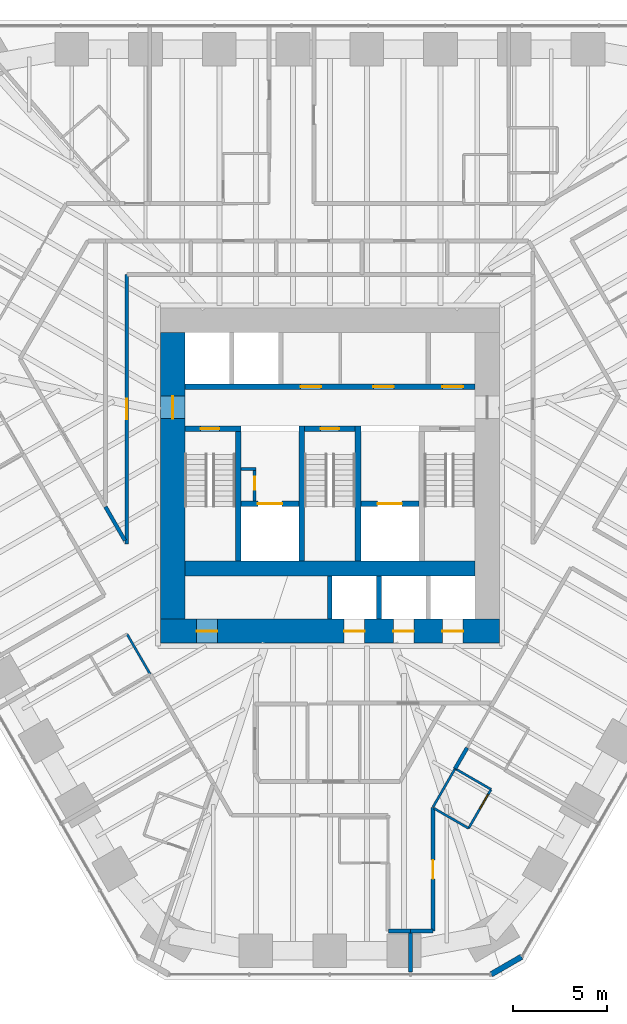
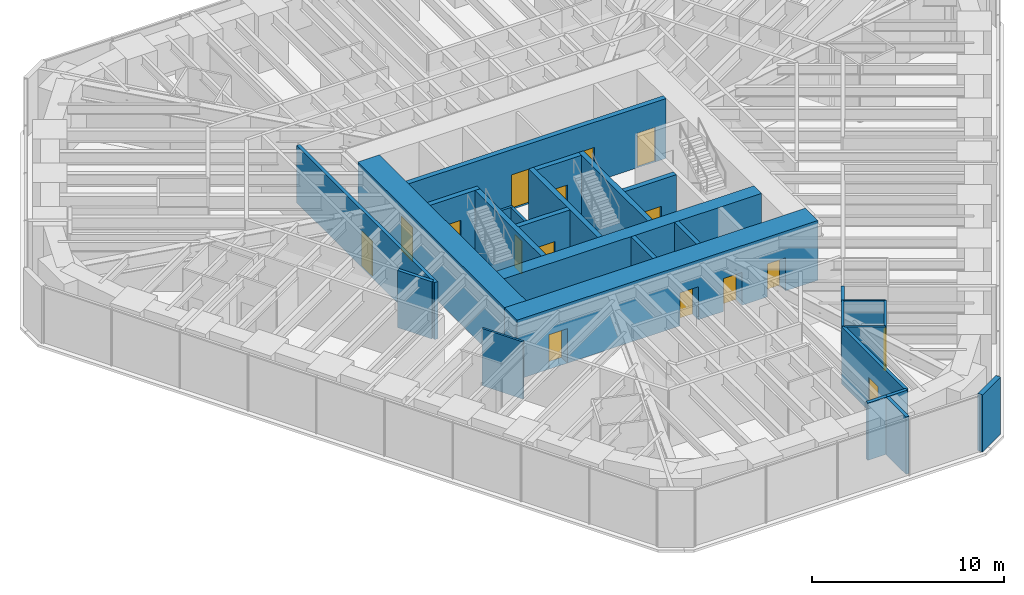
# One storey, part 12 of 17: 28 walls, 16 doors, 16 openings.
"""IFC4 building model written with IfcOpenShell, lengths in metres."""

from ifc_helpers import new_model, si_unit, direction, frame, frame_2d, origin, place, context, subcontext, project, spatial, rectangle, extrude, material, layer, layer_set, type_object, element, fill, save


model = new_model("IFC4")

# Units and contexts
model_context = context("Model", 3, precision=1e-05, world=origin(), true_north=direction((0.0, 1.0)))
body_context = subcontext(model_context, "Body", "Model", "MODEL_VIEW")
ifc_project = project(units=[si_unit("LENGTHUNIT", "METRE"), si_unit("AREAUNIT", "SQUARE_METRE"), si_unit("VOLUMEUNIT", "CUBIC_METRE"), si_unit("PLANEANGLEUNIT", "RADIAN"), si_unit("MASSUNIT", "GRAM", prefix="KILO")], contexts=[model_context])

# Site, building, storey
site_placement = place(None, origin())
site = spatial("IfcSite", under=ifc_project, at=site_placement, CompositionType="ELEMENT")
building_placement = place(site_placement, origin())
building = spatial("IfcBuilding", under=site, at=building_placement, Name="Sandreach Pilgrim Tower", CompositionType="ELEMENT")
storey_placement = place(building_placement, frame((0.0, 0.0, 146.199951171875)))
storey = spatial("IfcBuildingStorey", under=building, at=storey_placement, Name="L36", CompositionType="ELEMENT", Elevation=146.199951171875)

# Walls
ifc_material_1 = material(Name="Moisture-resistant gypsum board on steel studs", Category="steel")
ifc_layer_1 = layer(ifc_material_1, 0.1201171875)
ifc_layer_set_1 = layer_set([ifc_layer_1], Name="Bathroom partition 120")
wall_type_1 = type_object("IfcWallType", Name="Bathroom partition 120", PredefinedType="PARTITIONING", material=ifc_layer_set_1)
wall_1_placement = place(storey_placement, frame((-10.840087890625, -10.010009765625, 0.0), z_axis=(0.0, 0.0, 1.0), x_axis=(0.500089055364, -0.86597398154, 0.0)))
element("IfcWall", 1, at=wall_1_placement, inside=storey, type_object=wall_type_1, Name="Bathroom partition L36-043", PredefinedType="PARTITIONING", context=body_context, shape_type="SweptSolid", body=[
    extrude(rectangle(XDim=2.45947265625, YDim=0.1201171875, at=frame_2d((1.229736328125, 0.0))), origin(), (0.0, 0.0, 1.0), 3.64013671875),
])
wall_2_placement = place(storey_placement, frame((5.510009765625, -19.25, 0.0), z_axis=(0.0, 0.0, 1.0), x_axis=(0.498837591974, 0.866695481028, 0.0)))
element("IfcWall", 2, at=wall_2_placement, inside=storey, type_object=wall_type_1, Name="Bathroom partition L36-092", PredefinedType="PARTITIONING", context=body_context, shape_type="SweptSolid", body=[
    extrude(rectangle(XDim=2.365478515625, YDim=0.1201171875, at=frame_2d((1.1826171875, 0.0))), origin(), (0.0, 0.0, 1.0), 3.64013671875),
])
wall_3_placement = place(storey_placement, frame((5.566162109375, -19.322509765625, 0.0), z_axis=(0.0, 0.0, 1.0), x_axis=(0.865436746432, -0.501018201192, 0.0)))
element("IfcWall", 3, at=wall_3_placement, inside=storey, type_object=wall_type_1, Name="Bathroom partition L36-093", PredefinedType="PARTITIONING", context=body_context, shape_type="SweptSolid", body=[
    extrude(rectangle(XDim=2.13037109375, YDim=0.1201171875, at=frame_2d((1.065185546875, 0.0))), origin(), (0.0, 0.0, 1.0), 3.64013671875),
])

# Wall, opening, door
wall_4_placement = place(storey_placement, frame((7.409912109375, -20.389892578125, 0.0), z_axis=(0.0, 0.0, 1.0), x_axis=(0.499737123639, 0.866177122335, 0.0)))
wall_4 = element("IfcWall", 4, at=wall_4_placement, inside=storey, type_object=wall_type_1, Name="Bathroom partition L36-103", PredefinedType="PARTITIONING", context=body_context, shape_type="SweptSolid", body=[
    extrude(rectangle(XDim=2.401123046875, YDim=0.1201171875, at=frame_2d((1.20068359375, 0.0))), origin(), (0.0, 0.0, 1.0), 3.64013671875),
])
opening_1_placement = place(wall_4_placement, frame((1.201416015625, 0.0, 0.0)))
opening_1 = element("IfcOpeningElement", 5, at=opening_1_placement, cuts=wall_4, Name="Opening D09-09B", PredefinedType="OPENING", context=body_context, shape_type="SweptSolid", body=[
    extrude(rectangle(XDim=0.89990234375, YDim=2.030029296875, at=frame_2d((0.449951171875, 1.01513671875))), frame((0.0, 0.06005859375, 0.0), z_axis=(0.0, -1.0, 0.0), x_axis=(1.0, 0.0, 0.0)), (0.0, 0.0, 1.0), 0.1201171875),
])
ifc_material_2 = material(Name="Timber door, steel frame", Category="steel")
door_type_1 = type_object("IfcDoorType", Name="Bathroom door", OperationType="SINGLE_SWING_LEFT", PredefinedType="DOOR", material=ifc_material_2)
door_1_placement = place(opening_1_placement, origin())
door_1 = element("IfcDoor", 6, at=door_1_placement, inside=storey, type_object=door_type_1, Name="Door 3609B", OperationType="SINGLE_SWING_RIGHT", OverallHeight=2.030029296875, OverallWidth=0.89990234375, PredefinedType="DOOR", context=body_context, shape_type="SweptSolid", body=[
    extrude(rectangle(XDim=0.89990234375, YDim=2.030029296875, at=frame_2d((0.449951171875, 1.01513671875))), frame((0.0, 0.02490234375, 0.0), z_axis=(0.0, -1.0, 0.0), x_axis=(1.0, 0.0, 0.0)), (0.0, 0.0, 1.0), 0.050048828125),
])
fill(opening_1, door_1)

# Walls
wall_5_placement = place(storey_placement, frame((8.610107421875, -18.31005859375, 0.0), z_axis=(0.0, 0.0, 1.0), x_axis=(-0.865732595383, 0.500506816428, 0.0)))
element("IfcWall", 7, at=wall_5_placement, inside=storey, type_object=wall_type_1, Name="Bathroom partition L36-106", PredefinedType="PARTITIONING", context=body_context, shape_type="SweptSolid", body=[
    extrude(rectangle(XDim=2.218017578125, YDim=0.1201171875, at=frame_2d((1.10888671875, 0.0))), origin(), (0.0, 0.0, 1.0), 3.64013671875),
])
ifc_material_3 = material(Name="Concrete 10000 psi", Category="concrete")
ifc_layer_2 = layer(ifc_material_3, 0.300048828125)
ifc_layer_set_2 = layer_set([ifc_layer_2], Name="Core inner wall 300")
wall_type_2 = type_object("IfcWallType", Name="Core inner wall 300", PredefinedType="SHEAR", material=ifc_layer_set_2)
for number, where, z_axis, x_axis, name in (
    (8, (-4.89990234375, -6.10009765625, 0.0), (0.0, 0.0, 1.0), (0.0, 1.0, 0.0), "Core wall I0 L36"),
    (9, (-1.5, -6.10009765625, 0.0), (0.0, 0.0, 1.0), (0.0, 1.0, 0.0), "Core wall I1 L36"),
    (10, (1.5, -6.10009765625, 0.0), (0.0, 0.0, 1.0), (0.0, 1.0, 0.0), "Core wall I2 L36"),
):
    element("IfcWall", number, at=place(storey_placement, frame(where, z_axis=z_axis, x_axis=x_axis)), inside=storey, type_object=wall_type_2, Name=name, PredefinedType="SHEAR", context=body_context, shape_type="SweptSolid", body=[
        extrude(rectangle(XDim=7.2001953125, YDim=0.300048828125, at=frame_2d((3.60009765625, 0.0))), origin(), (0.0, 0.0, 1.0), 3.800048828125),
    ])

# Wall, opening, door
wall_6_placement = place(storey_placement, frame((-7.75, 0.949951171875, 0.0), z_axis=(0.0, 0.0, 1.0), x_axis=(1.0, 0.0, 0.0)))
wall_6 = element("IfcWall", 11, at=wall_6_placement, inside=storey, type_object=wall_type_2, Name="Core wall SN1 L36", PredefinedType="SHEAR", context=body_context, shape_type="SweptSolid", body=[
    extrude(rectangle(XDim=3.0, YDim=0.300048828125, at=frame_2d((1.5, 0.0))), origin(), (0.0, 0.0, 1.0), 3.800048828125),
])
opening_2_placement = place(wall_6_placement, frame((0.85009765625, 0.0, 0.0)))
opening_2 = element("IfcOpeningElement", 12, at=opening_2_placement, cuts=wall_6, Name="Opening D10S-ST1", PredefinedType="OPENING", context=body_context, shape_type="SweptSolid", body=[
    extrude(rectangle(XDim=1.0, YDim=2.199951171875, at=frame_2d((0.5, 1.10009765625))), frame((0.0, 0.14990234375, 0.0), z_axis=(0.0, -1.0, 0.0), x_axis=(1.0, 0.0, 0.0)), (0.0, 0.0, 1.0), 0.300048828125),
])
ifc_material_4 = material(Name="Steel door and frame", Category="steel")
door_type_2 = type_object("IfcDoorType", Name="Stair door", OperationType="SINGLE_SWING_LEFT", PredefinedType="DOOR", material=ifc_material_4)
door_2_placement = place(opening_2_placement, origin())
door_2 = element("IfcDoor", 13, at=door_2_placement, inside=storey, type_object=door_type_2, Name="Stair door ST1 L36", OperationType="SINGLE_SWING_LEFT", OverallHeight=2.199951171875, OverallWidth=1.0, PredefinedType="DOOR", context=body_context, shape_type="SweptSolid", body=[
    extrude(rectangle(XDim=1.0, YDim=2.199951171875, at=frame_2d((0.5, 1.10009765625))), frame((0.0, 0.02490234375, 0.0), z_axis=(0.0, -1.0, 0.0), x_axis=(1.0, 0.0, 0.0)), (0.0, 0.0, 1.0), 0.050048828125),
])
fill(opening_2, door_2)

wall_7_placement = place(storey_placement, frame((-1.35009765625, 0.949951171875, 0.0), z_axis=(0.0, 0.0, 1.0), x_axis=(1.0, 0.0, 0.0)))
wall_7 = element("IfcWall", 14, at=wall_7_placement, inside=storey, type_object=wall_type_2, Name="Core wall SN3 L36", PredefinedType="SHEAR", context=body_context, shape_type="SweptSolid", body=[
    extrude(rectangle(XDim=2.7001953125, YDim=0.300048828125, at=frame_2d((1.35009765625, 0.0))), origin(), (0.0, 0.0, 1.0), 3.800048828125),
])
opening_3_placement = place(wall_7_placement, frame((0.85009765625, 0.0, 0.0)))
opening_3 = element("IfcOpeningElement", 15, at=opening_3_placement, cuts=wall_7, Name="Opening D10S-ST3", PredefinedType="OPENING", context=body_context, shape_type="SweptSolid", body=[
    extrude(rectangle(XDim=1.0, YDim=2.199951171875, at=frame_2d((0.5, 1.10009765625))), frame((0.0, 0.14990234375, 0.0), z_axis=(0.0, -1.0, 0.0), x_axis=(1.0, 0.0, 0.0)), (0.0, 0.0, 1.0), 0.300048828125),
])
door_3_placement = place(opening_3_placement, origin())
door_3 = element("IfcDoor", 16, at=door_3_placement, inside=storey, type_object=door_type_2, Name="Stair door ST3 L36", OperationType="SINGLE_SWING_LEFT", OverallHeight=2.199951171875, OverallWidth=1.0, PredefinedType="DOOR", context=body_context, shape_type="SweptSolid", body=[
    extrude(rectangle(XDim=1.0, YDim=2.199951171875, at=frame_2d((0.5, 1.10009765625))), frame((0.0, 0.02490234375, 0.0), z_axis=(0.0, -1.0, 0.0), x_axis=(1.0, 0.0, 0.0)), (0.0, 0.0, 1.0), 0.050048828125),
])
fill(opening_3, door_3)

wall_8_placement = place(storey_placement, frame((-4.75, -3.050048828125, 0.0), z_axis=(0.0, 0.0, 1.0), x_axis=(1.0, 0.0, 0.0)))
wall_8 = element("IfcWall", 17, at=wall_8_placement, inside=storey, type_object=wall_type_2, Name="Core wall FL1 L36", PredefinedType="SHEAR", context=body_context, shape_type="SweptSolid", body=[
    extrude(rectangle(XDim=3.10009765625, YDim=0.300048828125, at=frame_2d((1.550048828125, 0.0))), origin(), (0.0, 0.0, 1.0), 3.800048828125),
])
opening_4_placement = place(wall_8_placement, frame((0.89990234375, 0.0, 0.0)))
opening_4 = element("IfcOpeningElement", 18, at=opening_4_placement, cuts=wall_8, Name="Opening LD13", PredefinedType="OPENING", context=body_context, shape_type="SweptSolid", body=[
    extrude(rectangle(XDim=1.300048828125, YDim=2.10009765625, at=frame_2d((0.64990234375, 1.050048828125))), frame((0.0, 0.14990234375, 0.0), z_axis=(0.0, -1.0, 0.0), x_axis=(1.0, 0.0, 0.0)), (0.0, 0.0, 1.0), 0.300048828125),
])
ifc_material_5 = material(Name="Steel door and frame", Category="steel")
door_type_3 = type_object("IfcDoorType", Name="Fire service lift landing door", OperationType="DOUBLE_DOOR_SLIDING", PredefinedType="DOOR", material=ifc_material_5)
door_4_placement = place(opening_4_placement, origin())
door_4 = element("IfcDoor", 19, at=door_4_placement, inside=storey, type_object=door_type_3, Name="Lift landing door FS1 L36", OperationType="DOUBLE_DOOR_SLIDING", OverallHeight=2.10009765625, OverallWidth=1.300048828125, PredefinedType="DOOR", context=body_context, shape_type="SweptSolid", body=[
    extrude(rectangle(XDim=1.300048828125, YDim=2.10009765625, at=frame_2d((0.64990234375, 1.050048828125))), frame((0.0, 0.02490234375, 0.0), z_axis=(0.0, -1.0, 0.0), x_axis=(1.0, 0.0, 0.0)), (0.0, 0.0, 1.0), 0.050048828125),
])
fill(opening_4, door_4)

wall_9_placement = place(storey_placement, frame((1.64990234375, -3.050048828125, 0.0), z_axis=(0.0, 0.0, 1.0), x_axis=(1.0, 0.0, 0.0)))
wall_9 = element("IfcWall", 20, at=wall_9_placement, inside=storey, type_object=wall_type_2, Name="Core wall FL2 L36", PredefinedType="SHEAR", context=body_context, shape_type="SweptSolid", body=[
    extrude(rectangle(XDim=3.10009765625, YDim=0.300048828125, at=frame_2d((1.550048828125, 0.0))), origin(), (0.0, 0.0, 1.0), 3.800048828125),
])
opening_5_placement = place(wall_9_placement, frame((0.89990234375, 0.0, 0.0)))
opening_5 = element("IfcOpeningElement", 21, at=opening_5_placement, cuts=wall_9, Name="Opening LD13", PredefinedType="OPENING", context=body_context, shape_type="SweptSolid", body=[
    extrude(rectangle(XDim=1.300048828125, YDim=2.10009765625, at=frame_2d((0.64990234375, 1.050048828125))), frame((0.0, 0.14990234375, 0.0), z_axis=(0.0, -1.0, 0.0), x_axis=(1.0, 0.0, 0.0)), (0.0, 0.0, 1.0), 0.300048828125),
])
door_5_placement = place(opening_5_placement, origin())
door_5 = element("IfcDoor", 22, at=door_5_placement, inside=storey, type_object=door_type_3, Name="Lift landing door FS2 L36", OperationType="DOUBLE_DOOR_SLIDING", OverallHeight=2.10009765625, OverallWidth=1.300048828125, PredefinedType="DOOR", context=body_context, shape_type="SweptSolid", body=[
    extrude(rectangle(XDim=1.300048828125, YDim=2.10009765625, at=frame_2d((0.64990234375, 1.050048828125))), frame((0.0, 0.02490234375, 0.0), z_axis=(0.0, -1.0, 0.0), x_axis=(1.0, 0.0, 0.0)), (0.0, 0.0, 1.0), 0.050048828125),
])
fill(opening_5, door_5)

# Wall, openings, doors
wall_10_placement = place(storey_placement, frame((-7.75, 3.199951171875, 0.0), z_axis=(0.0, 0.0, 1.0), x_axis=(1.0, 0.0, 0.0)))
wall_10 = element("IfcWall", 23, at=wall_10_placement, inside=storey, type_object=wall_type_2, Name="Core wall PN L36", PredefinedType="SHEAR", context=body_context, shape_type="SweptSolid", body=[
    extrude(rectangle(XDim=15.5, YDim=0.300048828125, at=frame_2d((7.75, 0.0))), origin(), (0.0, 0.0, 1.0), 3.800048828125),
])
opening_6_placement = place(wall_10_placement, frame((6.1875, 0.0, 0.0)))
opening_6 = element("IfcOpeningElement", 24, at=opening_6_placement, cuts=wall_10, Name="Opening D11L", PredefinedType="OPENING", context=body_context, shape_type="SweptSolid", body=[
    extrude(rectangle(XDim=1.10009765625, YDim=2.199951171875, at=frame_2d((0.550048828125, 1.10009765625))), frame((0.0, 0.14990234375, 0.0), z_axis=(0.0, -1.0, 0.0), x_axis=(1.0, 0.0, 0.0)), (0.0, 0.0, 1.0), 0.300048828125),
])
opening_7_placement = place(wall_10_placement, frame((10.074951171875, 0.0, 0.0)))
opening_7 = element("IfcOpeningElement", 25, at=opening_7_placement, cuts=wall_10, Name="Opening D11L", PredefinedType="OPENING", context=body_context, shape_type="SweptSolid", body=[
    extrude(rectangle(XDim=1.10009765625, YDim=2.199951171875, at=frame_2d((0.550048828125, 1.10009765625))), frame((0.0, 0.14990234375, 0.0), z_axis=(0.0, -1.0, 0.0), x_axis=(1.0, 0.0, 0.0)), (0.0, 0.0, 1.0), 0.300048828125),
])
opening_8_placement = place(wall_10_placement, frame((13.762451171875, 0.0, 0.0)))
opening_8 = element("IfcOpeningElement", 26, at=opening_8_placement, cuts=wall_10, Name="Opening D11L", PredefinedType="OPENING", context=body_context, shape_type="SweptSolid", body=[
    extrude(rectangle(XDim=1.10009765625, YDim=2.199951171875, at=frame_2d((0.550048828125, 1.10009765625))), frame((0.0, 0.14990234375, 0.0), z_axis=(0.0, -1.0, 0.0), x_axis=(1.0, 0.0, 0.0)), (0.0, 0.0, 1.0), 0.300048828125),
])
ifc_material_6 = material(Name="Steel door and frame, smoke seals", Category="steel")
door_type_4 = type_object("IfcDoorType", Name="Core room door", OperationType="SINGLE_SWING_LEFT", PredefinedType="DOOR", material=ifc_material_6)
door_6_placement = place(opening_6_placement, origin())
door_6 = element("IfcDoor", 27, at=door_6_placement, inside=storey, type_object=door_type_4, Name="Door housekeeping store 36K1", OperationType="SINGLE_SWING_LEFT", OverallHeight=2.199951171875, OverallWidth=1.10009765625, PredefinedType="DOOR", context=body_context, shape_type="SweptSolid", body=[
    extrude(rectangle(XDim=1.10009765625, YDim=2.199951171875, at=frame_2d((0.550048828125, 1.10009765625))), frame((0.0, 0.02490234375, 0.0), z_axis=(0.0, -1.0, 0.0), x_axis=(1.0, 0.0, 0.0)), (0.0, 0.0, 1.0), 0.050048828125),
])
fill(opening_6, door_6)
door_7_placement = place(opening_7_placement, origin())
door_7 = element("IfcDoor", 28, at=door_7_placement, inside=storey, type_object=door_type_4, Name="Door cleaners store 36K2", OperationType="SINGLE_SWING_RIGHT", OverallHeight=2.199951171875, OverallWidth=1.10009765625, PredefinedType="DOOR", context=body_context, shape_type="SweptSolid", body=[
    extrude(rectangle(XDim=1.10009765625, YDim=2.199951171875, at=frame_2d((0.550048828125, 1.10009765625))), frame((0.0, 0.02490234375, 0.0), z_axis=(0.0, -1.0, 0.0), x_axis=(1.0, 0.0, 0.0)), (0.0, 0.0, 1.0), 0.050048828125),
])
fill(opening_7, door_7)
door_8_placement = place(opening_8_placement, origin())
door_8 = element("IfcDoor", 29, at=door_8_placement, inside=storey, type_object=door_type_4, Name="Door storage room 36K3", OperationType="SINGLE_SWING_RIGHT", OverallHeight=2.199951171875, OverallWidth=1.10009765625, PredefinedType="DOOR", context=body_context, shape_type="SweptSolid", body=[
    extrude(rectangle(XDim=1.10009765625, YDim=2.199951171875, at=frame_2d((0.550048828125, 1.10009765625))), frame((0.0, 0.02490234375, 0.0), z_axis=(0.0, -1.0, 0.0), x_axis=(1.0, 0.0, 0.0)), (0.0, 0.0, 1.0), 0.050048828125),
])
fill(opening_8, door_8)

# Wall
ifc_material_7 = material(Name="Concrete 10000 psi", Category="concrete")
ifc_layer_3 = layer(ifc_material_7, 0.800048828125)
ifc_layer_set_3 = layer_set([ifc_layer_3], Name="Core mid wall 800")
wall_type_3 = type_object("IfcWallType", Name="Core mid wall 800", PredefinedType="SHEAR", material=ifc_layer_set_3)
wall_11_placement = place(storey_placement, frame((-7.75, -6.5, 0.0), z_axis=(0.0, 0.0, 1.0), x_axis=(1.0, 0.0, 0.0)))
element("IfcWall", 30, at=wall_11_placement, inside=storey, type_object=wall_type_3, Name="Core wall M L36", PredefinedType="SHEAR", context=body_context, shape_type="SweptSolid", body=[
    extrude(rectangle(XDim=15.5, YDim=0.800048828125, at=frame_2d((7.75, 0.0))), origin(), (0.0, 0.0, 1.0), 3.800048828125),
])

# Wall, openings, doors
ifc_material_8 = material(Name="Concrete 10000 psi", Category="concrete")
ifc_layer_4 = layer(ifc_material_8, 1.300048828125)
ifc_layer_set_4 = layer_set([ifc_layer_4], Name="Core wall 1300")
wall_type_4 = type_object("IfcWallType", Name="Core wall 1300", PredefinedType="SHEAR", material=ifc_layer_set_4)
wall_12_placement = place(storey_placement, frame((-9.050048828125, -9.85009765625, 0.0), z_axis=(0.0, 0.0, 1.0), x_axis=(1.0, 0.0, 0.0)))
wall_12 = element("IfcWall", 31, at=wall_12_placement, inside=storey, type_object=wall_type_4, Name="Core wall S L36", PredefinedType="SHEAR", context=body_context, shape_type="SweptSolid", body=[
    extrude(rectangle(XDim=18.10009765625, YDim=1.300048828125, at=frame_2d((9.050048828125, 0.0))), origin(), (0.0, 0.0, 1.0), 3.800048828125),
])
opening_9_placement = place(wall_12_placement, frame((1.9375, 0.0, 0.0)))
opening_9 = element("IfcOpeningElement", 32, at=opening_9_placement, cuts=wall_12, Name="Opening D11H", PredefinedType="OPENING", context=body_context, shape_type="SweptSolid", body=[
    extrude(rectangle(XDim=1.10009765625, YDim=2.199951171875, at=frame_2d((0.550048828125, 1.10009765625))), frame((0.0, 0.64990234375, 0.0), z_axis=(0.0, -1.0, 0.0), x_axis=(1.0, 0.0, 0.0)), (0.0, 0.0, 1.0), 1.300048828125),
])
opening_10_placement = place(wall_12_placement, frame((9.8125, 0.0, 0.0)))
opening_10 = element("IfcOpeningElement", 33, at=opening_10_placement, cuts=wall_12, Name="Opening LD11", PredefinedType="OPENING", context=body_context, shape_type="SweptSolid", body=[
    extrude(rectangle(XDim=1.10009765625, YDim=2.10009765625, at=frame_2d((0.550048828125, 1.050048828125))), frame((0.0, 0.64990234375, 0.0), z_axis=(0.0, -1.0, 0.0), x_axis=(1.0, 0.0, 0.0)), (0.0, 0.0, 1.0), 1.300048828125),
])
opening_11_placement = place(wall_12_placement, frame((12.4375, 0.0, 0.0)))
opening_11 = element("IfcOpeningElement", 34, at=opening_11_placement, cuts=wall_12, Name="Opening LD11", PredefinedType="OPENING", context=body_context, shape_type="SweptSolid", body=[
    extrude(rectangle(XDim=1.10009765625, YDim=2.10009765625, at=frame_2d((0.550048828125, 1.050048828125))), frame((0.0, 0.64990234375, 0.0), z_axis=(0.0, -1.0, 0.0), x_axis=(1.0, 0.0, 0.0)), (0.0, 0.0, 1.0), 1.300048828125),
])
opening_12_placement = place(wall_12_placement, frame((15.0625, 0.0, 0.0)))
opening_12 = element("IfcOpeningElement", 35, at=opening_12_placement, cuts=wall_12, Name="Opening LD11", PredefinedType="OPENING", context=body_context, shape_type="SweptSolid", body=[
    extrude(rectangle(XDim=1.10009765625, YDim=2.10009765625, at=frame_2d((0.550048828125, 1.050048828125))), frame((0.0, 0.64990234375, 0.0), z_axis=(0.0, -1.0, 0.0), x_axis=(1.0, 0.0, 0.0)), (0.0, 0.0, 1.0), 1.300048828125),
])
ifc_material_9 = material(Name="Steel door and frame", Category="steel")
door_type_5 = type_object("IfcDoorType", Name="Back of house door", OperationType="SINGLE_SWING_LEFT", PredefinedType="DOOR", material=ifc_material_9)
door_9_placement = place(opening_9_placement, origin())
door_9 = element("IfcDoor", 36, at=door_9_placement, inside=storey, type_object=door_type_5, Name="Door staff room 36K4", OperationType="SINGLE_SWING_LEFT", OverallHeight=2.199951171875, OverallWidth=1.10009765625, PredefinedType="DOOR", context=body_context, shape_type="SweptSolid", body=[
    extrude(rectangle(XDim=1.10009765625, YDim=2.199951171875, at=frame_2d((0.550048828125, 1.10009765625))), frame((0.0, 0.02490234375, 0.0), z_axis=(0.0, -1.0, 0.0), x_axis=(1.0, 0.0, 0.0)), (0.0, 0.0, 1.0), 0.050048828125),
])
fill(opening_9, door_9)
ifc_material_10 = material(Name="Steel door and frame", Category="steel")
door_type_6 = type_object("IfcDoorType", Name="Lift landing door", OperationType="DOUBLE_DOOR_SLIDING", PredefinedType="DOOR", material=ifc_material_10)
door_10_placement = place(opening_10_placement, origin())
door_10 = element("IfcDoor", 37, at=door_10_placement, inside=storey, type_object=door_type_6, Name="Lift landing door Z2A L36", OperationType="DOUBLE_DOOR_SLIDING", OverallHeight=2.10009765625, OverallWidth=1.10009765625, PredefinedType="DOOR", context=body_context, shape_type="SweptSolid", body=[
    extrude(rectangle(XDim=1.10009765625, YDim=2.10009765625, at=frame_2d((0.550048828125, 1.050048828125))), frame((0.0, 0.02490234375, 0.0), z_axis=(0.0, -1.0, 0.0), x_axis=(1.0, 0.0, 0.0)), (0.0, 0.0, 1.0), 0.050048828125),
])
fill(opening_10, door_10)
door_11_placement = place(opening_11_placement, origin())
door_11 = element("IfcDoor", 38, at=door_11_placement, inside=storey, type_object=door_type_6, Name="Lift landing door Z2B L36", OperationType="DOUBLE_DOOR_SLIDING", OverallHeight=2.10009765625, OverallWidth=1.10009765625, PredefinedType="DOOR", context=body_context, shape_type="SweptSolid", body=[
    extrude(rectangle(XDim=1.10009765625, YDim=2.10009765625, at=frame_2d((0.550048828125, 1.050048828125))), frame((0.0, 0.02490234375, 0.0), z_axis=(0.0, -1.0, 0.0), x_axis=(1.0, 0.0, 0.0)), (0.0, 0.0, 1.0), 0.050048828125),
])
fill(opening_11, door_11)
door_12_placement = place(opening_12_placement, origin())
door_12 = element("IfcDoor", 39, at=door_12_placement, inside=storey, type_object=door_type_6, Name="Lift landing door Z2C L36", OperationType="DOUBLE_DOOR_SLIDING", OverallHeight=2.10009765625, OverallWidth=1.10009765625, PredefinedType="DOOR", context=body_context, shape_type="SweptSolid", body=[
    extrude(rectangle(XDim=1.10009765625, YDim=2.10009765625, at=frame_2d((0.550048828125, 1.050048828125))), frame((0.0, 0.02490234375, 0.0), z_axis=(0.0, -1.0, 0.0), x_axis=(1.0, 0.0, 0.0)), (0.0, 0.0, 1.0), 0.050048828125),
])
fill(opening_12, door_12)

# Wall, opening, door
wall_13_placement = place(storey_placement, frame((-8.39990234375, -9.199951171875, 0.0), z_axis=(0.0, 0.0, 1.0), x_axis=(0.0, 1.0, 0.0)))
wall_13 = element("IfcWall", 40, at=wall_13_placement, inside=storey, type_object=wall_type_4, Name="Core wall W L36", PredefinedType="SHEAR", context=body_context, shape_type="SweptSolid", body=[
    extrude(rectangle(XDim=15.300048828125, YDim=1.300048828125, at=frame_2d((7.64990234375, 0.0))), origin(), (0.0, 0.0, 1.0), 3.800048828125),
])
opening_13_placement = place(wall_13_placement, frame((10.699951171875, 0.0, 0.0)))
opening_13 = element("IfcOpeningElement", 41, at=opening_13_placement, cuts=wall_13, Name="Opening D12F-W", PredefinedType="OPENING", context=body_context, shape_type="SweptSolid", body=[
    extrude(rectangle(XDim=1.199951171875, YDim=2.199951171875, at=frame_2d((0.60009765625, 1.10009765625))), frame((0.0, 0.64990234375, 0.0), z_axis=(0.0, -1.0, 0.0), x_axis=(1.0, 0.0, 0.0)), (0.0, 0.0, 1.0), 1.300048828125),
])
ifc_material_11 = material(Name="Steel door and frame", Category="steel")
door_type_7 = type_object("IfcDoorType", Name="Fire lobby door", OperationType="SINGLE_SWING_LEFT", PredefinedType="DOOR", material=ifc_material_11)
door_13_placement = place(opening_13_placement, origin())
door_13 = element("IfcDoor", 42, at=door_13_placement, inside=storey, type_object=door_type_7, Name="Fire service lobby door W L36", OperationType="SINGLE_SWING_RIGHT", OverallHeight=2.199951171875, OverallWidth=1.199951171875, PredefinedType="DOOR", context=body_context, shape_type="SweptSolid", body=[
    extrude(rectangle(XDim=1.199951171875, YDim=2.199951171875, at=frame_2d((0.60009765625, 1.10009765625))), frame((0.0, 0.02490234375, 0.0), z_axis=(0.0, -1.0, 0.0), x_axis=(1.0, 0.0, 0.0)), (0.0, 0.0, 1.0), 0.050048828125),
])
fill(opening_13, door_13)

# Wall
ifc_material_12 = material(Name="Gypsum board on steel studs, two layers each side", Category="steel")
ifc_layer_5 = layer(ifc_material_12, 0.199951171875)
ifc_layer_set_5 = layer_set([ifc_layer_5], Name="Corridor wall 200")
wall_type_5 = type_object("IfcWallType", Name="Corridor wall 200", PredefinedType="PARTITIONING", material=ifc_layer_set_5)
wall_14_placement = place(storey_placement, frame((-10.94970703125, -5.0166015625, 0.0), z_axis=(0.0, 0.0, 1.0), x_axis=(-0.498999092416, 0.866602507363, 0.0)))
element("IfcWall", 43, at=wall_14_placement, inside=storey, type_object=wall_type_5, Name="Corridor wall L36-041", PredefinedType="PARTITIONING", context=body_context, shape_type="SweptSolid", body=[
    extrude(rectangle(XDim=2.084716796875, YDim=0.199951171875, at=frame_2d((1.04248046875, 0.0))), origin(), (0.0, 0.0, 1.0), 3.64013671875),
])

# Wall, opening, door
wall_15_placement = place(storey_placement, frame((-10.85009765625, 9.199951171875, 0.0), z_axis=(0.0, 0.0, 1.0), x_axis=(0.0, -1.0, 0.0)))
wall_15 = element("IfcWall", 44, at=wall_15_placement, inside=storey, type_object=wall_type_5, Name="Corridor wall L36-042", PredefinedType="PARTITIONING", context=body_context, shape_type="SweptSolid", body=[
    extrude(rectangle(XDim=14.389892578125, YDim=0.199951171875, at=frame_2d((7.19482421875, 0.0))), origin(), (0.0, 0.0, 1.0), 3.64013671875),
])
opening_14_placement = place(wall_15_placement, frame((6.64501953125, 0.0, 0.0)))
opening_14 = element("IfcOpeningElement", 45, at=opening_14_placement, cuts=wall_15, Name="Opening D11H-M02", PredefinedType="OPENING", context=body_context, shape_type="SweptSolid", body=[
    extrude(rectangle(XDim=1.10009765625, YDim=2.199951171875, at=frame_2d((0.550048828125, 1.10009765625))), frame((0.0, 0.10009765625, 0.0), z_axis=(0.0, -1.0, 0.0), x_axis=(1.0, 0.0, 0.0)), (0.0, 0.0, 1.0), 0.199951171875),
])
door_14_placement = place(opening_14_placement, origin())
door_14 = element("IfcDoor", 46, at=door_14_placement, inside=storey, type_object=door_type_5, Name="Door 36M02", OperationType="SINGLE_SWING_LEFT", OverallHeight=2.199951171875, OverallWidth=1.10009765625, PredefinedType="DOOR", context=body_context, shape_type="SweptSolid", body=[
    extrude(rectangle(XDim=1.10009765625, YDim=2.199951171875, at=frame_2d((0.550048828125, 1.10009765625))), frame((0.0, 0.02490234375, 0.0), z_axis=(0.0, -1.0, 0.0), x_axis=(1.0, 0.0, 0.0)), (0.0, 0.0, 1.0), 0.050048828125),
])
fill(opening_14, door_14)

# Walls
wall_16_placement = place(storey_placement, frame((3.125, -25.8798828125, 0.0), z_axis=(0.0, 0.0, 1.0), x_axis=(1.0, 0.0, 0.0)))
element("IfcWall", 47, at=wall_16_placement, inside=storey, type_object=wall_type_5, Name="Corridor wall L36-087", PredefinedType="PARTITIONING", context=body_context, shape_type="SweptSolid", body=[
    extrude(rectangle(XDim=1.18505859375, YDim=0.199951171875, at=frame_2d((0.592529296875, 0.0))), origin(), (0.0, 0.0, 1.0), 3.64013671875),
])
wall_17_placement = place(storey_placement, frame((4.31005859375, -25.8798828125, 0.0), z_axis=(0.0, 0.0, 1.0), x_axis=(1.0, 0.0, 0.0)))
element("IfcWall", 48, at=wall_17_placement, inside=storey, type_object=wall_type_5, Name="Corridor wall L36-090", PredefinedType="PARTITIONING", context=body_context, shape_type="SweptSolid", body=[
    extrude(rectangle(XDim=1.18994140625, YDim=0.199951171875, at=frame_2d((0.594970703125, 0.0))), origin(), (0.0, 0.0, 1.0), 3.64013671875),
])

# Wall, opening, door
wall_18_placement = place(storey_placement, frame((5.510009765625, -25.8798828125, 0.0), z_axis=(0.0, 0.0, 1.0), x_axis=(0.0, 1.0, 0.0)))
wall_18 = element("IfcWall", 49, at=wall_18_placement, inside=storey, type_object=wall_type_5, Name="Corridor wall L36-091", PredefinedType="PARTITIONING", context=body_context, shape_type="SweptSolid", body=[
    extrude(rectangle(XDim=6.58984375, YDim=0.199951171875, at=frame_2d((3.294921875, 0.0))), origin(), (0.0, 0.0, 1.0), 3.64013671875),
])
opening_15_placement = place(wall_18_placement, frame((2.794921875, 0.0, 0.0)))
opening_15 = element("IfcOpeningElement", 50, at=opening_15_placement, cuts=wall_18, Name="Opening D10-09", PredefinedType="OPENING", context=body_context, shape_type="SweptSolid", body=[
    extrude(rectangle(XDim=1.0, YDim=2.1298828125, at=frame_2d((0.5, 1.06494140625))), frame((0.0, 0.10009765625, 0.0), z_axis=(0.0, -1.0, 0.0), x_axis=(1.0, 0.0, 0.0)), (0.0, 0.0, 1.0), 0.199951171875),
])
ifc_material_13 = material(Name="Steel door and frame", Category="steel")
door_type_8 = type_object("IfcDoorType", Name="Guest room entry door", OperationType="SINGLE_SWING_LEFT", PredefinedType="DOOR", material=ifc_material_13)
door_15_placement = place(opening_15_placement, origin())
door_15 = element("IfcDoor", 51, at=door_15_placement, inside=storey, type_object=door_type_8, Name="Door 3609", OperationType="SINGLE_SWING_LEFT", OverallHeight=2.1298828125, OverallWidth=1.0, PredefinedType="DOOR", context=body_context, shape_type="SweptSolid", body=[
    extrude(rectangle(XDim=1.0, YDim=2.1298828125, at=frame_2d((0.5, 1.06494140625))), frame((0.0, 0.02490234375, 0.0), z_axis=(0.0, -1.0, 0.0), x_axis=(1.0, 0.0, 0.0)), (0.0, 0.0, 1.0), 0.050048828125),
])
fill(opening_15, door_15)

# Walls
wall_19_placement = place(storey_placement, frame((6.68994140625, -17.199951171875, 0.0), z_axis=(0.0, 0.0, 1.0), x_axis=(0.499623473928, 0.866242682105, 0.0)))
element("IfcWall", 52, at=wall_19_placement, inside=storey, type_object=wall_type_5, Name="Corridor wall L36-098", PredefinedType="PARTITIONING", context=body_context, shape_type="SweptSolid", body=[
    extrude(rectangle(XDim=1.28125, YDim=0.199951171875, at=frame_2d((0.640625, 0.0))), origin(), (0.0, 0.0, 1.0), 3.64013671875),
])
ifc_material_14 = material(Name="Double steel stud acoustic wall, gypsum board", Category="steel")
ifc_layer_6 = layer(ifc_material_14, 0.199951171875)
ifc_layer_set_6 = layer_set([ifc_layer_6], Name="Party wall 200")
wall_type_6 = type_object("IfcWallType", Name="Party wall 200", PredefinedType="PARTITIONING", material=ifc_layer_set_6)
wall_20_placement = place(storey_placement, frame((4.31005859375, -28.070068359375, 0.0), z_axis=(0.0, 0.0, 1.0), x_axis=(0.0, 1.0, 0.0)))
element("IfcWall", 53, at=wall_20_placement, inside=storey, type_object=wall_type_6, Name="Party wall L36-089", PredefinedType="PARTITIONING", context=body_context, shape_type="SweptSolid", body=[
    extrude(rectangle(XDim=2.18017578125, YDim=0.199951171875, at=frame_2d((1.090087890625, 0.0))), origin(), (0.0, 0.0, 1.0), 3.64013671875),
])

# Wall, opening, door
ifc_material_15 = material(Name="Gypsum shaft wall on steel studs, shaft liner board", Category="steel")
ifc_layer_7 = layer(ifc_material_15, 0.14990234375)
ifc_layer_set_7 = layer_set([ifc_layer_7], Name="Riser shaft wall 150")
wall_type_7 = type_object("IfcWallType", Name="Riser shaft wall 150", PredefinedType="PARTITIONING", material=ifc_layer_set_7)
wall_21_placement = place(storey_placement, frame((-4.02490234375, -2.89990234375, 0.0), z_axis=(0.0, 0.0, 1.0), x_axis=(0.0, 1.0, 0.0)))
wall_21 = element("IfcWall", 54, at=wall_21_placement, inside=storey, type_object=wall_type_7, Name="Riser partition L36 side", PredefinedType="PARTITIONING", context=body_context, shape_type="SweptSolid", body=[
    extrude(rectangle(XDim=1.77490234375, YDim=0.14990234375, at=frame_2d((0.887451171875, 0.0))), origin(), (0.0, 0.0, 1.0), 3.64013671875),
])
opening_16_placement = place(wall_21_placement, frame((0.60009765625, 0.0, 0.0)))
opening_16 = element("IfcOpeningElement", 55, at=opening_16_placement, cuts=wall_21, Name="Opening D07R", PredefinedType="OPENING", context=body_context, shape_type="SweptSolid", body=[
    extrude(rectangle(XDim=0.699951171875, YDim=2.10009765625, at=frame_2d((0.35009765625, 1.050048828125))), frame((0.0, 0.074951171875, 0.0), z_axis=(0.0, -1.0, 0.0), x_axis=(1.0, 0.0, 0.0)), (0.0, 0.0, 1.0), 0.14990234375),
])
ifc_material_16 = material(Name="Steel door and frame, smoke seals", Category="steel")
door_type_9 = type_object("IfcDoorType", Name="Riser access door", OperationType="SINGLE_SWING_RIGHT", PredefinedType="DOOR", material=ifc_material_16)
door_16_placement = place(opening_16_placement, origin())
door_16 = element("IfcDoor", 56, at=door_16_placement, inside=storey, type_object=door_type_9, Name="Door riser 36ER", OperationType="SINGLE_SWING_RIGHT", OverallHeight=2.10009765625, OverallWidth=0.699951171875, PredefinedType="DOOR", context=body_context, shape_type="SweptSolid", body=[
    extrude(rectangle(XDim=0.699951171875, YDim=2.10009765625, at=frame_2d((0.35009765625, 1.050048828125))), frame((0.0, 0.02490234375, 0.0), z_axis=(0.0, -1.0, 0.0), x_axis=(1.0, 0.0, 0.0)), (0.0, 0.0, 1.0), 0.050048828125),
])
fill(opening_16, door_16)

# Walls
wall_22_placement = place(storey_placement, frame((-4.75, -1.199951171875, 0.0), z_axis=(0.0, 0.0, 1.0), x_axis=(1.0, 0.0, 0.0)))
element("IfcWall", 57, at=wall_22_placement, inside=storey, type_object=wall_type_7, Name="Riser partition L36 front", PredefinedType="PARTITIONING", context=body_context, shape_type="SweptSolid", body=[
    extrude(rectangle(XDim=0.800048828125, YDim=0.14990234375, at=frame_2d((0.39990234375, 0.0))), origin(), (0.0, 0.0, 1.0), 3.64013671875),
])
ifc_material_17 = material(Name="Gypsum shaft wall on steel studs, two layers of shaft liner board", Category="steel")
ifc_layer_8 = layer(ifc_material_17, 0.25)
ifc_layer_set_8 = layer_set([ifc_layer_8], Name="Shaft partition 250")
wall_type_8 = type_object("IfcWallType", Name="Shaft partition 250", PredefinedType="PARTITIONING", material=ifc_layer_set_8)
for number, where, z_axis, x_axis, name in (
    (58, (0.0, -9.199951171875, 0.0), (0.0, 0.0, 1.0), (0.0, 1.0, 0.0), "Shaft partition XS2 L36"),
    (59, (2.625, -9.199951171875, 0.0), (0.0, 0.0, 1.0), (0.0, 1.0, 0.0), "Shaft partition XS3 L36"),
):
    element("IfcWall", number, at=place(storey_placement, frame(where, z_axis=z_axis, x_axis=x_axis)), inside=storey, type_object=wall_type_8, Name=name, PredefinedType="PARTITIONING", context=body_context, shape_type="SweptSolid", body=[
        extrude(rectangle(XDim=2.300048828125, YDim=0.25, at=frame_2d((1.14990234375, 0.0))), origin(), (0.0, 0.0, 1.0), 3.800048828125),
    ])
ifc_material_18 = material(Name="Terracotta rainscreen on concrete", Category="masonry")
ifc_layer_9 = layer(ifc_material_18, 0.300048828125)
ifc_layer_set_9 = layer_set([ifc_layer_9], Name="Terracotta chamfer pier")
wall_type_9 = type_object("IfcWallType", Name="Terracotta chamfer pier", PredefinedType="SOLIDWALL", material=ifc_layer_set_9)
wall_23_placement = place(storey_placement, frame((10.239501953125, -27.252197265625, 0.0), z_axis=(0.0, 0.0, 1.0), x_axis=(-0.866045024864, -0.499966013754, 0.0)))
element("IfcWall", 60, at=wall_23_placement, inside=storey, type_object=wall_type_9, Name="Chamfer pier L36 SE", PredefinedType="SOLIDWALL", context=body_context, shape_type="SweptSolid", body=[
    extrude(rectangle(XDim=1.880126953125, YDim=0.300048828125, at=frame_2d((0.93994140625, 0.0))), origin(), (0.0, 0.0, 1.0), 3.64013671875),
])

save(model, "model.ifc")
